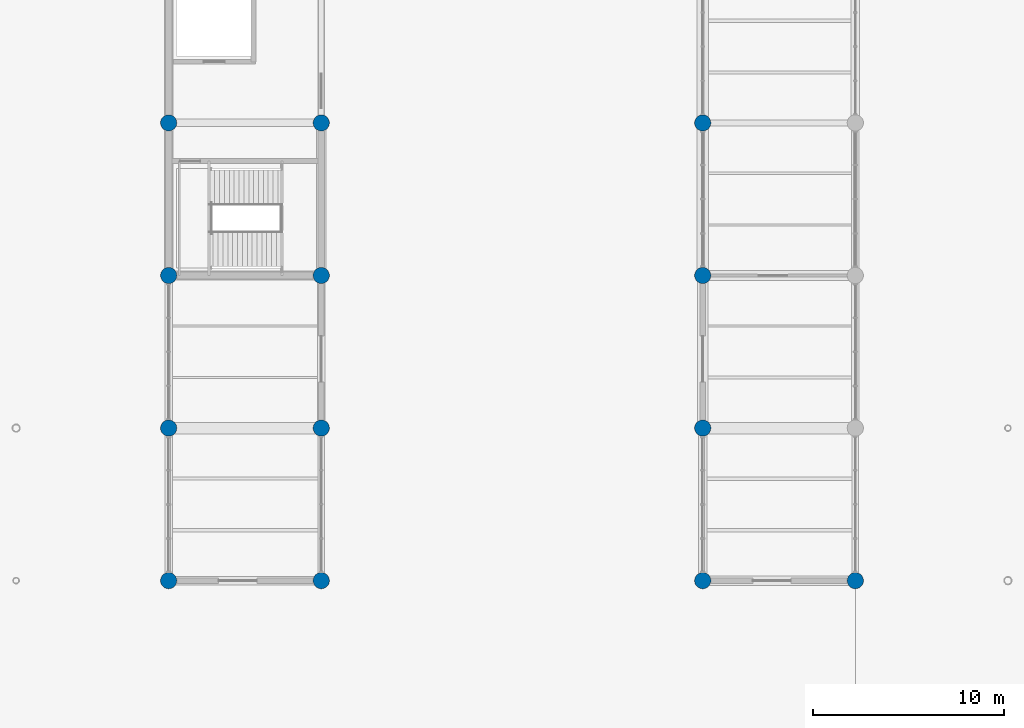
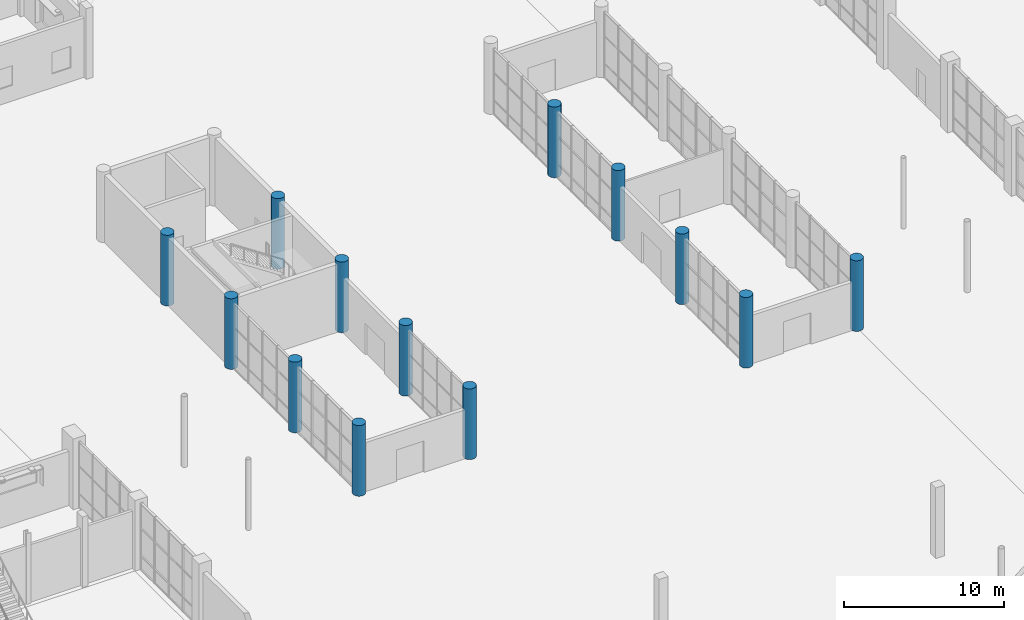
# One storey, part 9 of 123: 13 columns.
"""IFC4 building model written with IfcOpenShell, lengths in metres."""

import ifcopenshell
import ifcopenshell.guid

model = None  # the IFC model being written
_history = None  # IfcOwnerHistory: only IFC2X3 demands one
_inside = {}  # id of a spatial element -> (the spatial element, [elements in it])
_under = {}  # id of a project, library or spatial element -> (it, [spatial elements below it])
_declared = {}  # id of a project -> (the project, [libraries it declares])
_typed = {}  # id of a type object -> (the type object, [elements of that type])
_made_of = {}  # id of a material, layer set ... -> (it, [elements and type objects made of it])


def new_model(schema):
    """Start an empty IFC model of exactly this schema.

    Asked for "IFC4X3", IfcOpenShell would pick the latest addendum, in which some entities
    have other attributes; the version numbers below select the first issue.
    IFC2X3 requires an IfcOwnerHistory on every rooted entity: one is made here for all.
    """
    global model, _history
    if schema == "IFC4X3":
        model = ifcopenshell.file(schema_version=(4, 3, 0, 0))
    else:
        model = ifcopenshell.file(schema=schema)
    _inside.clear()
    _under.clear()
    _declared.clear()
    _typed.clear()
    _made_of.clear()
    _history = None
    if model.schema == "IFC2X3":
        org = make("IfcOrganization", Name="unknown")
        user = make(
            "IfcPersonAndOrganization",
            ThePerson=make("IfcPerson", FamilyName="unknown"),
            TheOrganization=org,
        )
        app = make(
            "IfcApplication",
            ApplicationDeveloper=org,
            Version="unknown",
            ApplicationFullName="unknown",
            ApplicationIdentifier="unknown",
        )
        _history = make(
            "IfcOwnerHistory",
            OwningUser=user,
            OwningApplication=app,
            ChangeAction="ADDED",
            CreationDate=0,
        )
    return model


def make(cls, **values):
    """One entity of the class cls with the attributes given. An attribute that is None is left unset."""
    return model.create_entity(
        cls, **{name: value for name, value in values.items() if value is not None}
    )


def rooted(cls, **values):
    """An entity with a GlobalId (a new one), such as an element, a storey or a relation."""
    return make(cls, GlobalId=ifcopenshell.guid.new(), OwnerHistory=_history, **values)


def si_unit(unit_type, name, prefix=None):
    """IfcSIUnit, for example si_unit("LENGTHUNIT", "METRE", prefix="MILLI")."""
    return make("IfcSIUnit", UnitType=unit_type, Prefix=prefix, Name=name)


def assignment(units):
    """IfcUnitAssignment: the units of a project."""
    return None if units is None else make("IfcUnitAssignment", Units=units)


def point(xyz):
    """IfcCartesianPoint."""
    return None if xyz is None else make("IfcCartesianPoint", Coordinates=xyz)


def direction(xyz):
    """IfcDirection."""
    return None if xyz is None else make("IfcDirection", DirectionRatios=xyz)


def frame(location, z_axis=None, x_axis=None):
    """IfcAxis2Placement3D, a coordinate frame: its origin and axes. An axis left out is left unset."""
    return make(
        "IfcAxis2Placement3D",
        Location=point(location),
        Axis=direction(z_axis),
        RefDirection=direction(x_axis),
    )


def frame_2d(location, x_axis=None):
    """IfcAxis2Placement2D, a coordinate frame in the plane: its origin and x axis."""
    return make(
        "IfcAxis2Placement2D", Location=point(location), RefDirection=direction(x_axis)
    )


def origin():
    """The frame at (0, 0, 0) with its axes left unset."""
    return frame((0.0, 0.0, 0.0))


def origin_2d():
    """The frame at (0, 0) in the plane with its x axis left unset."""
    return frame_2d((0.0, 0.0))


def place(relative_to, where):
    """IfcLocalPlacement: puts the frame where relative to a parent placement (None: the world)."""
    return make(
        "IfcLocalPlacement", PlacementRelTo=relative_to, RelativePlacement=where
    )


def context(
    kind, dimensions, precision=None, world=None, true_north=None, identifier=None
):
    """IfcGeometricRepresentationContext, for example the 3D "Model" context."""
    return make(
        "IfcGeometricRepresentationContext",
        ContextIdentifier=identifier,
        ContextType=kind,
        CoordinateSpaceDimension=dimensions,
        Precision=precision,
        WorldCoordinateSystem=world,
        TrueNorth=true_north,
    )


def subcontext(parent, identifier, kind, view, scale=None):
    """IfcGeometricRepresentationSubContext, for example "Body" below "Model"."""
    return make(
        "IfcGeometricRepresentationSubContext",
        ContextIdentifier=identifier,
        ContextType=kind,
        ParentContext=parent,
        TargetScale=scale,
        TargetView=view,
    )


def project(units=None, contexts=None):
    """IfcProject with its units and contexts."""
    return rooted(
        "IfcProject",
        Name="project",
        RepresentationContexts=contexts,
        UnitsInContext=assignment(units),
    )


def spatial(cls, under=None, at=None, **own):
    """A site, building, storey or space (cls), placed at a placement, below another one or the project."""
    s = rooted(cls, ObjectPlacement=at, **own)
    if under is not None:
        _under.setdefault(under.id(), (under, []))[1].append(s)
    return s


def profile(cls, at=None, kind="AREA", **sizes):
    """A parametric profile (cls). Its sizes go by their IFC names, for example OverallWidth=200.0."""
    return make(cls, ProfileType=kind, Position=at, **sizes)


def circle(**sizes):
    """IfcCircleProfileDef."""
    return profile("IfcCircleProfileDef", **sizes)


def extrude(swept, where, along, depth):
    """IfcExtrudedAreaSolid: the profile swept, set in the frame where, extruded along a direction by depth."""
    return make(
        "IfcExtrudedAreaSolid",
        SweptArea=swept,
        Position=where,
        ExtrudedDirection=direction(along),
        Depth=depth,
    )


def shape(context_of_items, identifier, shape_type, items):
    """IfcShapeRepresentation: the items that make up one representation, for example the "Body"."""
    return make(
        "IfcShapeRepresentation",
        ContextOfItems=context_of_items,
        RepresentationIdentifier=identifier,
        RepresentationType=shape_type,
        Items=items,
    )


def material(Name=None, Category=None):
    """IfcMaterial."""
    return make("IfcMaterial", Name=Name, Category=Category)


def material_profile(
    of_material, cross_section, Name=None, Category=None, Priority=None
):
    """IfcMaterialProfile: a cross section and its material."""
    return make(
        "IfcMaterialProfile",
        Name=Name,
        Material=of_material,
        Profile=cross_section,
        Priority=Priority,
        Category=Category,
    )


def profile_set(profiles, Name=None, composite=None):
    """IfcMaterialProfileSet."""
    return make(
        "IfcMaterialProfileSet",
        Name=Name,
        MaterialProfiles=profiles,
        CompositeProfile=composite,
    )


def made_of(thing, what):
    """Note that an element or type object is made of a material, layer set ...; save() writes the relation."""
    if what is not None:
        _made_of.setdefault(what.id(), (what, []))[1].append(thing)
    return thing


def type_object(cls, material=None, **own):
    """A type object (cls), such as IfcWallType, which elements share."""
    return made_of(rooted(cls, **own), material)


def element(
    cls,
    number,
    at=None,
    inside=None,
    cuts=None,
    type_object=None,
    material=None,
    context=None,
    identifier="Body",
    shape_type=None,
    held_by="IfcProductDefinitionShape",
    body=None,
    shapes=None,
    **own,
):
    """One element of the class cls, such as IfcWall. Its Tag is "e" and its number.

    at: its placement. inside: the storey or other place that contains it. cuts: it is an
    opening in that element (IfcRelVoidsElement). A single representation is given by context,
    identifier, shape_type and body (its items); several are given by shapes. held_by: the class
    of the entity that holds the representations. save() writes the other relations.
    """
    e = rooted(cls, Tag="e%d" % number, ObjectPlacement=at, **own)
    if body is not None:
        shapes = [shape(context, identifier, shape_type, body)]
    if shapes is not None:
        e.Representation = make(held_by, Representations=shapes)
    if inside is not None:
        _inside.setdefault(inside.id(), (inside, []))[1].append(e)
    if cuts is not None:
        rooted(
            "IfcRelVoidsElement", RelatingBuildingElement=cuts, RelatedOpeningElement=e
        )
    if type_object is not None:
        _typed.setdefault(type_object.id(), (type_object, []))[1].append(e)
    return made_of(e, material)


def aggregate(whole, parts):
    """IfcRelAggregates: a whole, such as a stair, and the parts it consists of."""
    return rooted("IfcRelAggregates", RelatingObject=whole, RelatedObjects=parts)


def save(model, path):
    """Write the relations noted so far, then the file.

    IfcRelAggregates (storeys below a building ...), IfcRelContainedInSpatialStructure (elements
    in a storey), IfcRelDefinesByType, IfcRelAssociatesMaterial and IfcRelDeclares: one each for
    every whole, place, type object, material and project.
    """
    for whole, parts in _under.values():
        aggregate(whole, parts)
    for where, things in _inside.values():
        rooted(
            "IfcRelContainedInSpatialStructure",
            RelatedElements=things,
            RelatingStructure=where,
        )
    for kind, things in _typed.values():
        rooted("IfcRelDefinesByType", RelatedObjects=things, RelatingType=kind)
    for what, things in _made_of.values():
        rooted("IfcRelAssociatesMaterial", RelatedObjects=things, RelatingMaterial=what)
    for by, libraries in _declared.values():
        rooted("IfcRelDeclares", RelatingContext=by, RelatedDefinitions=libraries)
    model.write(path)


model = new_model("IFC4")

# Units and contexts
model_context = context("Model", 3, precision=1e-05, world=origin(), true_north=direction((0.0, 1.0)))
body_context = subcontext(model_context, "Body", "Model", "MODEL_VIEW")
ifc_project = project(units=[si_unit("LENGTHUNIT", "METRE"), si_unit("AREAUNIT", "SQUARE_METRE"), si_unit("VOLUMEUNIT", "CUBIC_METRE"), si_unit("PLANEANGLEUNIT", "RADIAN"), si_unit("MASSUNIT", "GRAM", prefix="KILO")], contexts=[model_context])

# Site, building, storey
site_placement = place(None, origin())
site = spatial("IfcSite", under=ifc_project, at=site_placement, CompositionType="ELEMENT")
building_placement = place(site_placement, origin())
building = spatial("IfcBuilding", under=site, at=building_placement, Name="Tenunan Teduh Sports Hall", CompositionType="ELEMENT")
storey_placement = place(building_placement, origin())
storey = spatial("IfcBuildingStorey", under=building, at=storey_placement, Name="L00", CompositionType="ELEMENT", Elevation=0.0)

# Columns
ifc_material = material(Name="Concrete C40/50", Category="concrete")
ifc_material_profile = material_profile(ifc_material, circle(Radius=0.425048828125, at=origin_2d()), Name="RCC D850")
ifc_profile_set = profile_set([ifc_material_profile], Name="Concrete C40/50")
column_type = type_object("IfcColumnType", Name="COL-RCC-850", PredefinedType="COLUMN", material=ifc_profile_set)
for number, where, z_axis, x_axis, name in (
    (1, (70.0, 38.0, 0.0), (0.0, 0.0, 1.0), (1.0, 0.0, 0.0), "COL-C-19-L00-099"),
    (2, (70.0, 46.0, 0.0), (0.0, 0.0, 1.0), (1.0, 0.0, 0.0), "COL-C-19-L00-100"),
    (3, (70.0, 54.0, 0.0), (0.0, 0.0, 1.0), (1.0, 0.0, 0.0), "COL-C-19-L00-101"),
    (4, (70.0, 62.0, 0.0), (0.0, 0.0, 1.0), (1.0, 0.0, 0.0), "COL-C-19-L00-102"),
    (5, (78.0, 38.0, 0.0), (0.0, 0.0, 1.0), (1.0, 0.0, 0.0), "COL-C-19-L00-111"),
    (6, (78.0, 46.0, 0.0), (0.0, 0.0, 1.0), (1.0, 0.0, 0.0), "COL-C-19-L00-112"),
    (7, (78.0, 54.0, 0.0), (0.0, 0.0, 1.0), (1.0, 0.0, 0.0), "COL-C-19-L00-113"),
    (8, (78.0, 62.0, 0.0), (0.0, 0.0, 1.0), (1.0, 0.0, 0.0), "COL-C-19-L00-114"),
    (9, (98.0, 38.0, 0.0), (0.0, 0.0, 1.0), (1.0, 0.0, 0.0), "COL-C-19-L00-122"),
    (10, (98.0, 46.0, 0.0), (0.0, 0.0, 1.0), (1.0, 0.0, 0.0), "COL-C-19-L00-123"),
    (11, (98.0, 54.0, 0.0), (0.0, 0.0, 1.0), (1.0, 0.0, 0.0), "COL-C-19-L00-124"),
    (12, (98.0, 62.0, 0.0), (0.0, 0.0, 1.0), (1.0, 0.0, 0.0), "COL-C-19-L00-125"),
    (13, (106.0, 38.0, 0.0), (0.0, 0.0, 1.0), (1.0, 0.0, 0.0), "COL-C-19-L00-132"),
):
    element("IfcColumn", number, at=place(storey_placement, frame(where, z_axis=z_axis, x_axis=x_axis)), inside=storey, type_object=column_type, Name=name, PredefinedType="COLUMN", context=body_context, shape_type="SweptSolid", body=[
        extrude(circle(Radius=0.425048828125, at=origin_2d()), origin(), (0.0, 0.0, 1.0), 5.39990234375),
    ])

save(model, "model.ifc")
